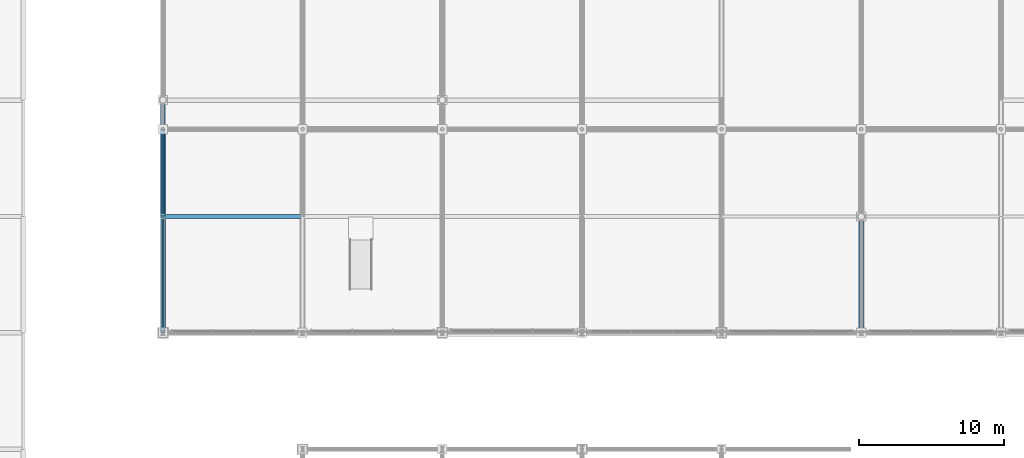
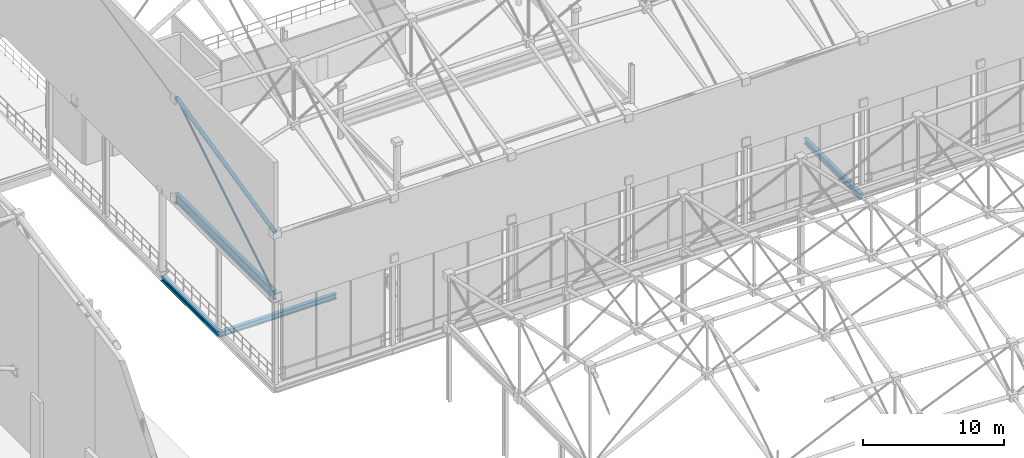
# One storey, part 99 of 193: 4 beams, 2 members.
"""IFC4 building model written with IfcOpenShell, lengths in metres."""

from ifc_helpers import new_model, si_unit, direction, frame, origin, origin_2d, place, context, subcontext, project, spatial, hollow_circle, i_section, extrude, material, material_profile, profile_set, type_object, element, save


model = new_model("IFC4")

# Units and contexts
model_context = context("Model", 3, precision=1e-05, world=origin(), true_north=direction((0.0, 1.0)))
body_context = subcontext(model_context, "Body", "Model", "MODEL_VIEW")
ifc_project = project(units=[si_unit("LENGTHUNIT", "METRE"), si_unit("AREAUNIT", "SQUARE_METRE"), si_unit("VOLUMEUNIT", "CUBIC_METRE"), si_unit("PLANEANGLEUNIT", "RADIAN"), si_unit("MASSUNIT", "GRAM", prefix="KILO")], contexts=[model_context])

# Site, building, storey
site_placement = place(None, origin())
site = spatial("IfcSite", under=ifc_project, at=site_placement, CompositionType="ELEMENT")
building_placement = place(site_placement, origin())
building = spatial("IfcBuilding", under=site, at=building_placement, Name="Danafjord Basin Convention Centre", CompositionType="ELEMENT")
storey_placement = place(building_placement, frame((0.0, 0.0, 11.39990234375)))
storey = spatial("IfcBuildingStorey", under=building, at=storey_placement, Name="L02", CompositionType="ELEMENT", Elevation=11.39990234375)

# Beams
ifc_material = material(Name="Steel S355", Category="steel")
ifc_material_profile_1 = material_profile(ifc_material, i_section(OverallWidth=0.300048828125, OverallDepth=0.449951171875, WebThickness=0.013916015625, FlangeThickness=0.02587890625, FilletRadius=0.027099609375, at=origin_2d()), Name="HEB 450")
ifc_profile_set_1 = profile_set([ifc_material_profile_1], Name="Steel S355")
beam_type_1 = type_object("IfcBeamType", Name="BEAM-BM-HEB450", PredefinedType="BEAM", material=ifc_profile_set_1)
beam_1_placement = place(storey_placement, frame((134.39990234375, 96.0, -0.5849609375), z_axis=(1.0, 0.0, 0.0), x_axis=(0.0, 1.0, 0.0)))
element("IfcBeam", 1, at=beam_1_placement, inside=storey, type_object=beam_type_1, Name="L02 girder BM-HEB450", PredefinedType="BEAM", context=body_context, shape_type="SweptSolid", body=[
    extrude(i_section(OverallWidth=0.300048828125, OverallDepth=0.449951171875, WebThickness=0.013916015625, FlangeThickness=0.02587890625, FilletRadius=0.027099609375, at=origin_2d()), origin(), (0.0, 0.0, 1.0), 9.60009765625),
])
ifc_material_profile_2 = material_profile(ifc_material, i_section(OverallWidth=0.300048828125, OverallDepth=0.5, WebThickness=0.014404296875, FlangeThickness=0.028076171875, FilletRadius=0.027099609375, at=origin_2d()), Name="HEB 500")
ifc_profile_set_2 = profile_set([ifc_material_profile_2], Name="Steel S355")
beam_type_2 = type_object("IfcBeamType", Name="BEAM-BM-HEB500", PredefinedType="BEAM", material=ifc_profile_set_2)
beam_2_placement = place(storey_placement, frame((182.39990234375, 88.0, -0.60986328125), z_axis=(0.0, 1.0, 0.0), x_axis=(-1.0, 0.0, 0.0)))
element("IfcBeam", 2, at=beam_2_placement, inside=storey, type_object=beam_type_2, Name="L02 transverse girder BM-HEB500", PredefinedType="BEAM", context=body_context, shape_type="SweptSolid", body=[
    extrude(i_section(OverallWidth=0.300048828125, OverallDepth=0.5, WebThickness=0.014404296875, FlangeThickness=0.028076171875, FilletRadius=0.027099609375, at=origin_2d()), origin(), (0.0, 0.0, 1.0), 8.0),
])
ifc_material_profile_3 = material_profile(ifc_material, i_section(OverallWidth=0.300048828125, OverallDepth=0.800048828125, WebThickness=0.017578125, FlangeThickness=0.032958984375, FilletRadius=0.030029296875, at=origin_2d()), Name="HEB 800")
ifc_profile_set_3 = profile_set([ifc_material_profile_3], Name="Steel S355")
beam_type_3 = type_object("IfcBeamType", Name="BEAM-BM-HEB800", PredefinedType="BEAM", material=ifc_profile_set_3)
beam_3_placement = place(storey_placement, frame((134.39990234375, 88.0, 7.650146484375), z_axis=(0.0, 1.0, 0.0), x_axis=(-1.0, 0.0, 0.0)))
element("IfcBeam", 3, at=beam_3_placement, inside=storey, type_object=beam_type_3, Name="V2 space-frame perimeter ring girder", PredefinedType="BEAM", context=body_context, shape_type="SweptSolid", body=[
    extrude(i_section(OverallWidth=0.300048828125, OverallDepth=0.800048828125, WebThickness=0.017578125, FlangeThickness=0.032958984375, FilletRadius=0.030029296875, at=origin_2d()), origin(), (0.0, 0.0, 1.0), 14.0),
])
ifc_material_profile_4 = material_profile(ifc_material, i_section(OverallWidth=0.300048828125, OverallDepth=0.39990234375, WebThickness=0.013427734375, FlangeThickness=0.02392578125, FilletRadius=0.027099609375, at=origin_2d()), Name="HEB 400")
ifc_profile_set_4 = profile_set([ifc_material_profile_4], Name="Steel S355")
beam_type_4 = type_object("IfcBeamType", Name="BEAM-SP-HEB400", PredefinedType="SPANDREL", material=ifc_profile_set_4)
beam_4_placement = place(storey_placement, frame((134.39990234375, 96.0, -0.559814453125), z_axis=(0.0, 1.0, 0.0), x_axis=(-1.0, 0.0, 0.0)))
element("IfcBeam", 4, at=beam_4_placement, inside=storey, type_object=beam_type_4, Name="L02 transverse girder SP-HEB400", PredefinedType="SPANDREL", context=body_context, shape_type="SweptSolid", body=[
    extrude(i_section(OverallWidth=0.300048828125, OverallDepth=0.39990234375, WebThickness=0.013427734375, FlangeThickness=0.02392578125, FilletRadius=0.027099609375, at=origin_2d()), origin(), (0.0, 0.0, 1.0), 8.0),
])

# Members
ifc_material_profile_5 = material_profile(ifc_material, hollow_circle(Radius=0.161865234375, WallThickness=0.01611328125, at=origin_2d()), Name="CHS 323.9x16.0")
ifc_profile_set_5 = profile_set([ifc_material_profile_5], Name="Steel S355")
member_type_1 = type_object("IfcMemberType", Name="MEM-CH-CHS324", PredefinedType="CHORD", material=ifc_profile_set_5)
member_1_placement = place(storey_placement, frame((134.39990234375, 88.0, 13.0751953125), z_axis=(0.0, 0.975091413877, 0.221803369186), x_axis=(-1.0, 0.0, 0.0)))
element("IfcMember", 5, at=member_1_placement, inside=storey, type_object=member_type_1, Name="V2 roof truss transverse top chord", PredefinedType="CHORD", context=body_context, shape_type="SweptSolid", body=[
    extrude(hollow_circle(Radius=0.161865234375, WallThickness=0.01611328125, at=origin_2d()), origin(), (0.0, 0.0, 1.0), 14.357666015625),
])
ifc_material_profile_6 = material_profile(ifc_material, hollow_circle(Radius=0.084228515625, WallThickness=0.008056640625, at=origin_2d()), Name="CHS 168.3x8.0")
ifc_profile_set_6 = profile_set([ifc_material_profile_6], Name="Steel S355")
member_type_2 = type_object("IfcMemberType", Name="MEM-WB-CHS168", PredefinedType="MEMBER", material=ifc_profile_set_6)
member_2_placement = place(storey_placement, frame((134.39990234375, 88.0, 7.650146484375), z_axis=(0.0, 0.85181485631, 0.523842963654), x_axis=(-1.0, 0.0, 0.0)))
element("IfcMember", 6, at=member_2_placement, inside=storey, type_object=member_type_2, Name="V2 space-frame transverse web", PredefinedType="MEMBER", context=body_context, shape_type="SweptSolid", body=[
    extrude(hollow_circle(Radius=0.084228515625, WallThickness=0.008056640625, at=origin_2d()), origin(), (0.0, 0.0, 1.0), 16.435546875),
])

save(model, "model.ifc")
